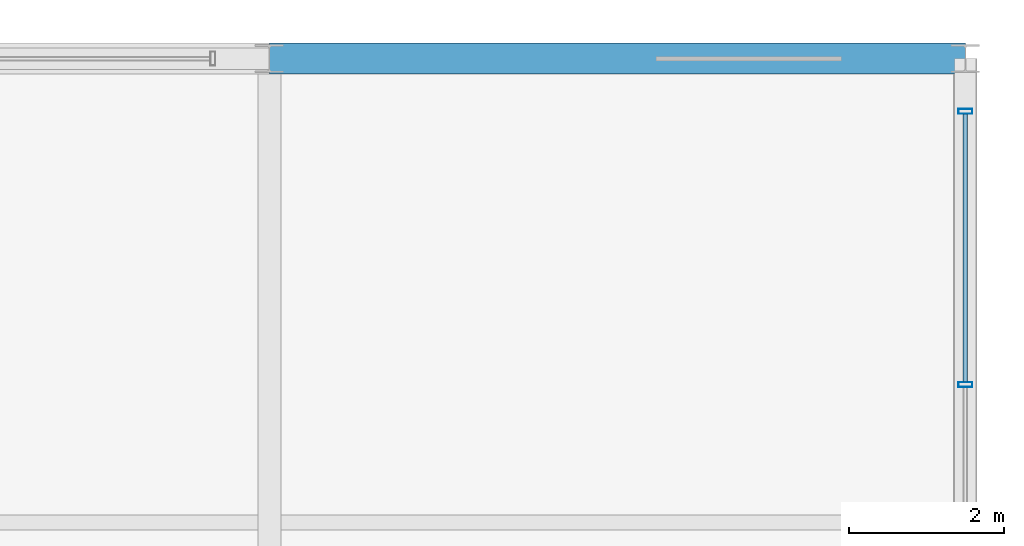
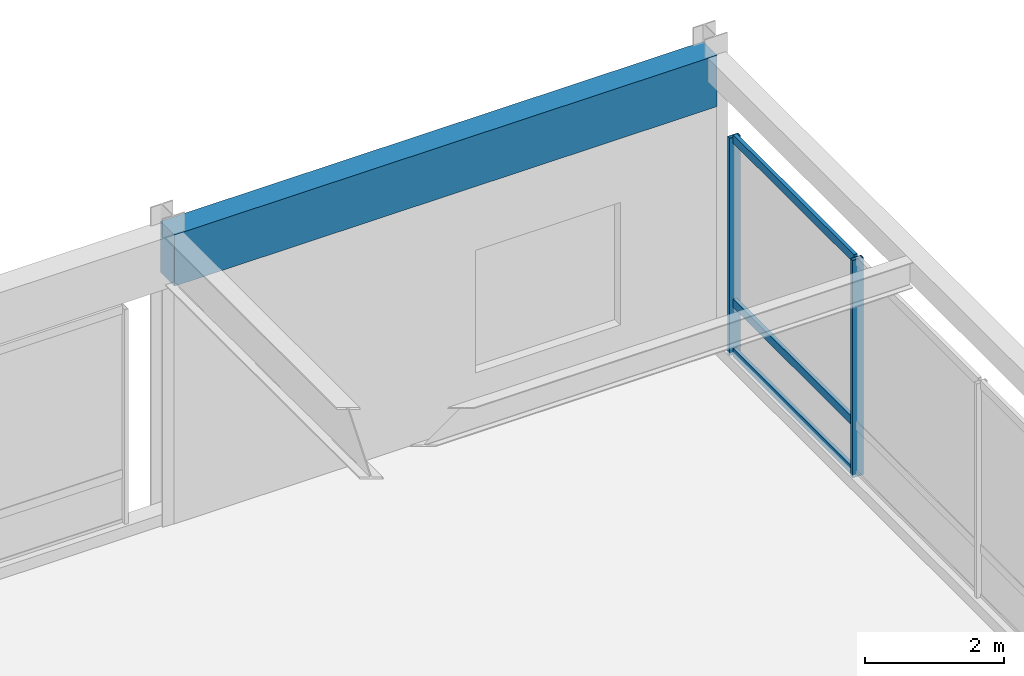
# One storey, part 74 of 100: 5 members, 1 beam, 1 element without a shape of its own.
"""IFC4 building model written with IfcOpenShell, lengths in metres."""

from ifc_helpers import new_model, si_unit, direction, frame, origin, origin_2d, place, context, subcontext, project, spatial, rectangle, hollow_rectangle, extrude, material, material_profile, profile_set, type_object, element, aggregate, save


model = new_model("IFC4")

# Units and contexts
model_context = context("Model", 3, precision=1e-05, world=origin(), true_north=direction((0.0, 1.0)))
body_context = subcontext(model_context, "Body", "Model", "MODEL_VIEW")
ifc_project = project(units=[si_unit("LENGTHUNIT", "METRE"), si_unit("AREAUNIT", "SQUARE_METRE"), si_unit("VOLUMEUNIT", "CUBIC_METRE"), si_unit("PLANEANGLEUNIT", "RADIAN"), si_unit("MASSUNIT", "GRAM", prefix="KILO")], contexts=[model_context])

# Site, building, storey
site_placement = place(None, origin())
site = spatial("IfcSite", under=ifc_project, at=site_placement, CompositionType="ELEMENT")
building_placement = place(site_placement, origin())
building = spatial("IfcBuilding", under=site, at=building_placement, Name="Kaldorvane Square Convention Centre", CompositionType="ELEMENT")
storey_placement = place(building_placement, frame((0.0, 0.0, 18.0)))
storey = spatial("IfcBuildingStorey", under=building, at=storey_placement, Name="L03", CompositionType="ELEMENT", Elevation=18.0)

# Beam
ifc_material_1 = material(Name="Concrete f'c = 42 MPa (Normalweight)", Category="concrete")
ifc_material_profile_1 = material_profile(ifc_material_1, rectangle(XDim=0.399993896484375, YDim=0.899993896484375, at=origin_2d()), Name="RCSP900X400")
ifc_profile_set_1 = profile_set([ifc_material_profile_1], Name="Concrete f'c = 42 MPa (Normalweight)")
beam_type = type_object("IfcBeamType", Name="BM-SP-RC900", PredefinedType="SPANDREL", material=ifc_profile_set_1)
beam_placement = place(storey_placement, frame((165.0, 117.0, 4.626007080078125), z_axis=(1.0, 0.0, 0.0), x_axis=(0.0, 1.0, 0.0)))
element("IfcBeam", 1, at=beam_placement, inside=storey, type_object=beam_type, Name="Perimeter Spandrel (L03)", PredefinedType="SPANDREL", context=body_context, shape_type="SweptSolid", body=[
    extrude(rectangle(XDim=0.399993896484375, YDim=0.899993896484375, at=origin_2d()), origin(), (0.0, 0.0, 1.0), 9.0),
])

# Curtain wall, members
ifc_material_2 = material(Name="Anodized Aluminum and Low-E Insulated Glazing", Category="aluminium")
curtain_wall_type = type_object("IfcCurtainWallType", Name="CW-UNI-P54-09", PredefinedType="USERDEFINED", material=ifc_material_2)
curtain_wall_placement = place(storey_placement, origin())
curtain_wall = element("IfcCurtainWall", 2, at=curtain_wall_placement, inside=storey, type_object=curtain_wall_type, Name="Curtain Wall CW-04 (L03)", ObjectType="UNITISED GLAZING", PredefinedType="USERDEFINED")
ifc_material_profile_2 = material_profile(ifc_material_2, hollow_rectangle(XDim=0.06500244140625, YDim=0.17999267578125, WallThickness=0.0034942626953125, at=origin_2d()), Name="CWM-180X65")
ifc_profile_set_2 = profile_set([ifc_material_profile_2], Name="Anodized Aluminum and Low-E Insulated Glazing")
member_type_1 = type_object("IfcMemberType", Name="CW-MUL-180", PredefinedType="MULLION", material=ifc_profile_set_2)
member_1_placement = place(storey_placement, frame((174.0, 112.78334045410156, 0.149993896484375), z_axis=(0.0, 0.0, 1.0), x_axis=(0.0, 1.0, 0.0)))
member_1 = element("IfcMember", 3, at=member_1_placement, type_object=member_type_1, Name="CW-04 mullion 3", PredefinedType="MULLION", context=body_context, shape_type="SweptSolid", body=[
    extrude(hollow_rectangle(XDim=0.06500244140625, YDim=0.17999267578125, WallThickness=0.0034942626953125, at=origin_2d()), origin(), (0.0, 0.0, 1.0), 3.8100128173828125),
])
member_2_placement = place(storey_placement, frame((174.0, 116.3175048828125, 0.149993896484375), z_axis=(0.0, 0.0, 1.0), x_axis=(0.0, 1.0, 0.0)))
member_2 = element("IfcMember", 4, at=member_2_placement, type_object=member_type_1, Name="CW-04 mullion 4", PredefinedType="MULLION", context=body_context, shape_type="SweptSolid", body=[
    extrude(hollow_rectangle(XDim=0.06500244140625, YDim=0.17999267578125, WallThickness=0.0034942626953125, at=origin_2d()), origin(), (0.0, 0.0, 1.0), 3.8100128173828125),
])
ifc_material_profile_3 = material_profile(ifc_material_2, hollow_rectangle(XDim=0.05999755859375, YDim=0.149993896484375, WallThickness=0.003204345703125, at=origin_2d()), Name="CWT-150X60")
ifc_profile_set_3 = profile_set([ifc_material_profile_3], Name="Anodized Aluminum and Low-E Insulated Glazing")
member_type_2 = type_object("IfcMemberType", Name="CW-TRN-150", PredefinedType="USERDEFINED", material=ifc_profile_set_3)
member_3_placement = place(storey_placement, frame((174.0, 112.81582641601562, 0.17999267578125), z_axis=(0.0, 1.0, 0.0), x_axis=(-1.0, 0.0, 0.0)))
member_3 = element("IfcMember", 5, at=member_3_placement, type_object=member_type_2, Name="CW-04 transom 3.1", ObjectType="TRANSOM", PredefinedType="USERDEFINED", context=body_context, shape_type="SweptSolid", body=[
    extrude(hollow_rectangle(XDim=0.05999755859375, YDim=0.149993896484375, WallThickness=0.003204345703125, at=origin_2d()), origin(), (0.0, 0.0, 1.0), 3.46917724609375),
])
member_4_placement = place(storey_placement, frame((174.0, 112.81582641601562, 1.0500030517578125), z_axis=(0.0, 1.0, 0.0), x_axis=(-1.0, 0.0, 0.0)))
member_4 = element("IfcMember", 6, at=member_4_placement, type_object=member_type_2, Name="CW-04 transom 3.2", ObjectType="TRANSOM", PredefinedType="USERDEFINED", context=body_context, shape_type="SweptSolid", body=[
    extrude(hollow_rectangle(XDim=0.05999755859375, YDim=0.149993896484375, WallThickness=0.003204345703125, at=origin_2d()), origin(), (0.0, 0.0, 1.0), 3.46917724609375),
])
member_5_placement = place(storey_placement, frame((174.0, 112.81582641601562, 3.92999267578125), z_axis=(0.0, 1.0, 0.0), x_axis=(-1.0, 0.0, 0.0)))
member_5 = element("IfcMember", 7, at=member_5_placement, type_object=member_type_2, Name="CW-04 transom 3.3", ObjectType="TRANSOM", PredefinedType="USERDEFINED", context=body_context, shape_type="SweptSolid", body=[
    extrude(hollow_rectangle(XDim=0.05999755859375, YDim=0.149993896484375, WallThickness=0.003204345703125, at=origin_2d()), origin(), (0.0, 0.0, 1.0), 3.46917724609375),
])
aggregate(curtain_wall, [member_1, member_2, member_3, member_4, member_5])

save(model, "model.ifc")
